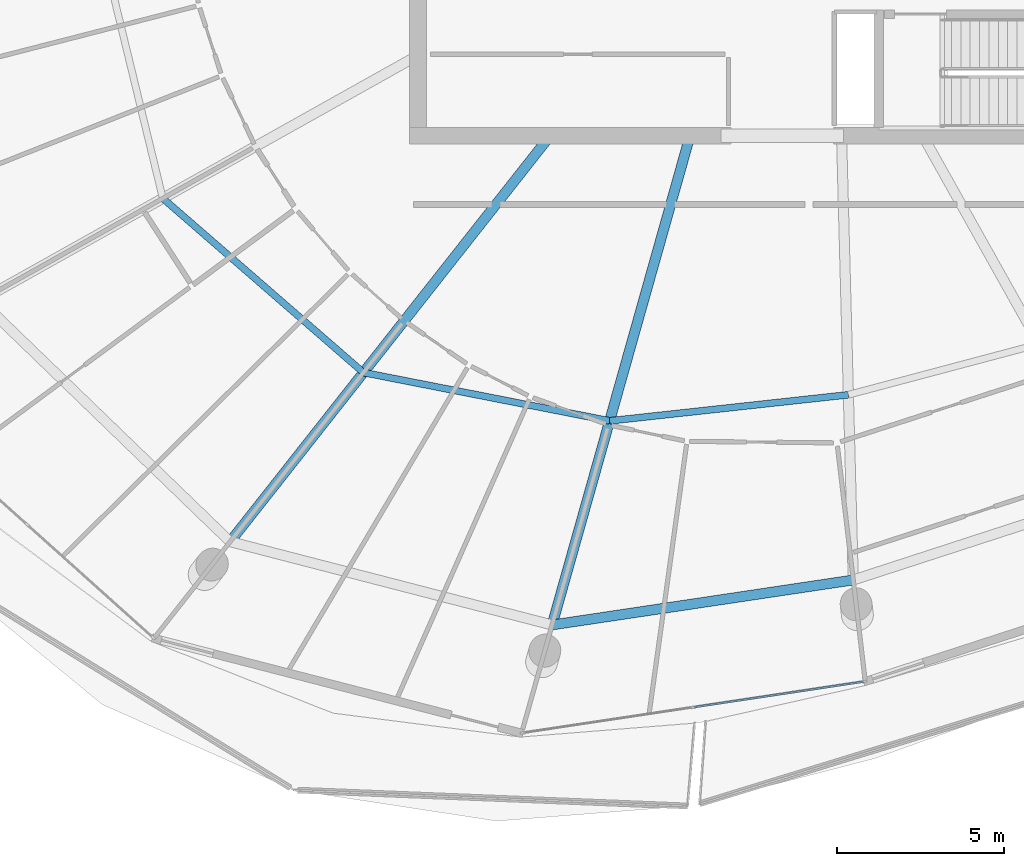
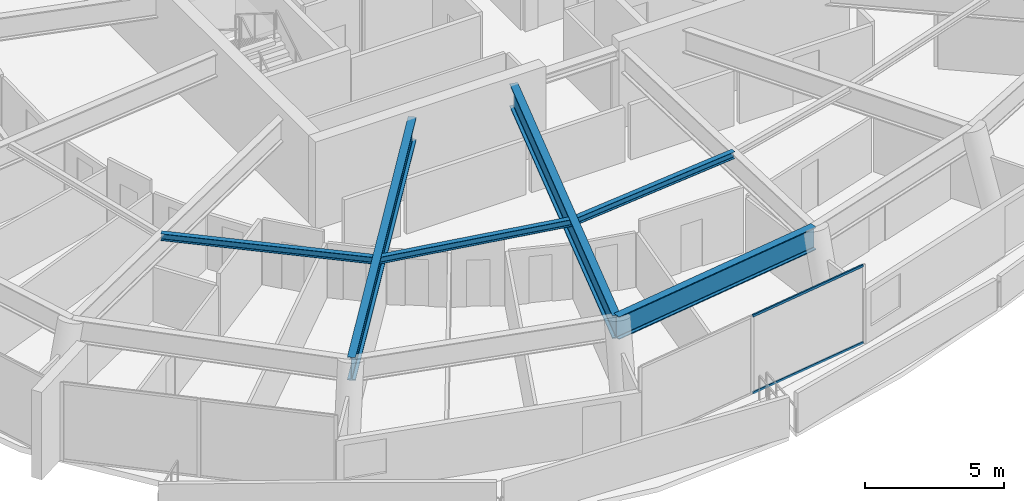
# One storey, part 7 of 30: 6 beams, 2 members, 1 element without a shape of its own.
"""IFC4 building model written with IfcOpenShell, lengths in metres."""

from ifc_helpers import new_model, si_unit, direction, frame, origin, origin_2d, place, context, subcontext, project, spatial, rectangle, i_section, extrude, material, layer, layer_set, material_profile, profile_set, type_object, element, aggregate, save


model = new_model("IFC4")

# Units and contexts
model_context = context("Model", 3, precision=1e-05, world=origin(), true_north=direction((0.0, 1.0)))
body_context = subcontext(model_context, "Body", "Model", "MODEL_VIEW")
ifc_project = project(units=[si_unit("LENGTHUNIT", "METRE"), si_unit("AREAUNIT", "SQUARE_METRE"), si_unit("VOLUMEUNIT", "CUBIC_METRE"), si_unit("PLANEANGLEUNIT", "RADIAN"), si_unit("MASSUNIT", "GRAM", prefix="KILO")], contexts=[model_context])

# Site, building, storey
site_placement = place(None, origin())
site = spatial("IfcSite", under=ifc_project, at=site_placement, CompositionType="ELEMENT")
building_placement = place(site_placement, origin())
building = spatial("IfcBuilding", under=site, at=building_placement, Name="Kazma Halo Residences", CompositionType="ELEMENT")
storey_placement = place(building_placement, frame((0.0, 0.0, 302.14990234375)))
storey = spatial("IfcBuildingStorey", under=building, at=storey_placement, Name="L76", CompositionType="ELEMENT", Elevation=302.14990234375)

# Beams
ifc_material_1 = material(Name="Steel S355", Category="steel")
ifc_material_profile_1 = material_profile(ifc_material_1, i_section(OverallWidth=0.202880859375, OverallDepth=0.302978515625, WebThickness=0.007568359375, FlangeThickness=0.01318359375, FilletRadius=0.013916015625, at=origin_2d()), Name="W310x60")
ifc_profile_set_1 = profile_set([ifc_material_profile_1], Name="Steel S355")
beam_type_1 = type_object("IfcBeamType", Name="BM-SEC-W310A", PredefinedType="JOIST", material=ifc_profile_set_1)
beam_1_placement = place(storey_placement, frame((29.927490234375, 31.87890625, 3.298583984375), z_axis=(0.75508682338, -0.655624808224, 0.0), x_axis=(0.655624808224, 0.75508682338, 0.0)))
element("IfcBeam", 1, at=beam_1_placement, inside=storey, type_object=beam_type_1, Name="L76 circumferential floor joist 09", PredefinedType="JOIST", context=body_context, shape_type="SweptSolid", body=[
    extrude(i_section(OverallWidth=0.202880859375, OverallDepth=0.302978515625, WebThickness=0.007568359375, FlangeThickness=0.01318359375, FilletRadius=0.013916015625, at=origin_2d()), origin(), (0.0, 0.0, 1.0), 7.935791015625),
])
beam_2_placement = place(storey_placement, frame((35.919677734375, 26.676025390625, 3.298583984375), z_axis=(0.981284903068, -0.192561520066, 0.0), x_axis=(0.192561520066, 0.981284903068, 0.0)))
element("IfcBeam", 2, at=beam_2_placement, inside=storey, type_object=beam_type_1, Name="L76 circumferential floor joist 10", PredefinedType="JOIST", context=body_context, shape_type="SweptSolid", body=[
    extrude(i_section(OverallWidth=0.202880859375, OverallDepth=0.302978515625, WebThickness=0.007568359375, FlangeThickness=0.01318359375, FilletRadius=0.013916015625, at=origin_2d()), origin(), (0.0, 0.0, 1.0), 7.49169921875),
])
beam_3_placement = place(storey_placement, frame((43.271240234375, 25.2333984375, 3.298583984375), z_axis=(0.994083412898, 0.10861937305, 0.0), x_axis=(-0.10861937305, 0.994083412898, 0.0)))
element("IfcBeam", 3, at=beam_3_placement, inside=storey, type_object=beam_type_1, Name="L76 circumferential floor joist 11", PredefinedType="JOIST", context=body_context, shape_type="SweptSolid", body=[
    extrude(i_section(OverallWidth=0.202880859375, OverallDepth=0.302978515625, WebThickness=0.007568359375, FlangeThickness=0.01318359375, FilletRadius=0.013916015625, at=origin_2d()), origin(), (0.0, 0.0, 1.0), 7.17236328125),
])
ifc_material_profile_2 = material_profile(ifc_material_1, i_section(OverallWidth=0.302001953125, OverallDepth=1.01806640625, WebThickness=0.021484375, FlangeThickness=0.049072265625, FilletRadius=0.028076171875, at=origin_2d()), Name="W1000x443")
ifc_profile_set_2 = profile_set([ifc_material_profile_2], Name="Steel S355")
beam_type_2 = type_object("IfcBeamType", Name="BM-TRANS-W1000A", PredefinedType="BEAM", material=ifc_profile_set_2)
beam_4_placement = place(storey_placement, frame((41.41748046875, 33.64990234375, 2.941162109375), z_axis=(-0.619098183755, -0.785313592694, 0.0), x_axis=(0.785313592694, -0.619098183755, 0.0)))
element("IfcBeam", 4, at=beam_4_placement, inside=storey, type_object=beam_type_2, Name="L76 podium radial transfer girder 10", PredefinedType="BEAM", context=body_context, shape_type="SweptSolid", body=[
    extrude(i_section(OverallWidth=0.302001953125, OverallDepth=1.01806640625, WebThickness=0.021484375, FlangeThickness=0.049072265625, FilletRadius=0.028076171875, at=origin_2d()), origin(), (0.0, 0.0, 1.0), 15.31103515625),
])
beam_5_placement = place(storey_placement, frame((45.64501953125, 33.64990234375, 2.941162109375), z_axis=(-0.271436704395, -0.962456292778, 0.0), x_axis=(0.962456292778, -0.271436704395, 0.0)))
element("IfcBeam", 5, at=beam_5_placement, inside=storey, type_object=beam_type_2, Name="L76 podium radial transfer girder 11", PredefinedType="BEAM", context=body_context, shape_type="SweptSolid", body=[
    extrude(i_section(OverallWidth=0.302001953125, OverallDepth=1.01806640625, WebThickness=0.021484375, FlangeThickness=0.049072265625, FilletRadius=0.028076171875, at=origin_2d()), origin(), (0.0, 0.0, 1.0), 15.077392578125),
])
ifc_material_profile_3 = material_profile(ifc_material_1, i_section(OverallWidth=0.300048828125, OverallDepth=1.0, WebThickness=0.01904296875, FlangeThickness=0.0400390625, FilletRadius=0.02587890625, at=origin_2d()), Name="W1000x371")
ifc_profile_set_3 = profile_set([ifc_material_profile_3], Name="Steel S355")
beam_type_3 = type_object("IfcBeamType", Name="BM-TRANS-W1000B", PredefinedType="BEAM", material=ifc_profile_set_3)
beam_6_placement = place(storey_placement, frame((41.552490234375, 19.138671875, 2.9501953125), z_axis=(0.989035180543, 0.147680099025, 0.0), x_axis=(-0.147680099025, 0.989035180543, 0.0)))
element("IfcBeam", 6, at=beam_6_placement, inside=storey, type_object=beam_type_3, Name="L76 perimeter ring beam 11", PredefinedType="BEAM", context=body_context, shape_type="SweptSolid", body=[
    extrude(i_section(OverallWidth=0.300048828125, OverallDepth=1.0, WebThickness=0.01904296875, FlangeThickness=0.0400390625, FilletRadius=0.02587890625, at=origin_2d()), origin(), (0.0, 0.0, 1.0), 9.093994140625),
])

# Curtain wall, members
ifc_material_2 = material(Name="Aluminium AW-6063 T6 and Triple-Silver Low-E Glass", Category="aluminium")
ifc_layer = layer(ifc_material_2, 0.139892578125)
ifc_layer_set = layer_set([ifc_layer], Name="Aluminium AW-6063 T6 and Triple-Silver Low-E Glass")
curtain_wall_type = type_object("IfcCurtainWallType", Name="CW-SYS-5", PredefinedType="NOTDEFINED", material=ifc_layer_set)
curtain_wall_placement = place(storey_placement, origin())
curtain_wall = element("IfcCurtainWall", 7, at=curtain_wall_placement, inside=storey, type_object=curtain_wall_type, Name="L76 unitised curtain wall B11", PredefinedType="NOTDEFINED")
ifc_material_3 = material(Name="Aluminium AW-6063 T6", Category="aluminium")
ifc_material_profile_4 = material_profile(ifc_material_3, rectangle(XDim=0.06005859375, YDim=0.10498046875, at=origin_2d()), Name="CWT-60x105")
ifc_profile_set_4 = profile_set([ifc_material_profile_4], Name="Aluminium AW-6063 T6")
member_type = type_object("IfcMemberType", Name="CW-SYS-5-TRN", PredefinedType="USERDEFINED", material=ifc_profile_set_4)
member_1_placement = place(storey_placement, frame((45.80322265625, 16.6845703125, 0.030029296875), z_axis=(0.988882913569, 0.148696278541, 0.0), x_axis=(-0.148696278541, 0.988882913569, 0.0)))
member_1 = element("IfcMember", 8, at=member_1_placement, type_object=member_type, Name="CWS-5 transom 2.1", ObjectType="TRANSOM", PredefinedType="USERDEFINED", context=body_context, shape_type="SweptSolid", body=[
    extrude(rectangle(XDim=0.06005859375, YDim=0.10498046875, at=origin_2d()), origin(), (0.0, 0.0, 1.0), 5.099609375),
])
member_2_placement = place(storey_placement, frame((45.80322265625, 16.6845703125, 3.420166015625), z_axis=(0.988882913569, 0.148696278541, 0.0), x_axis=(-0.148696278541, 0.988882913569, 0.0)))
member_2 = element("IfcMember", 9, at=member_2_placement, type_object=member_type, Name="CWS-5 transom 2.2", ObjectType="TRANSOM", PredefinedType="USERDEFINED", context=body_context, shape_type="SweptSolid", body=[
    extrude(rectangle(XDim=0.06005859375, YDim=0.10498046875, at=origin_2d()), origin(), (0.0, 0.0, 1.0), 5.099609375),
])
aggregate(curtain_wall, [member_1, member_2])

save(model, "model.ifc")
